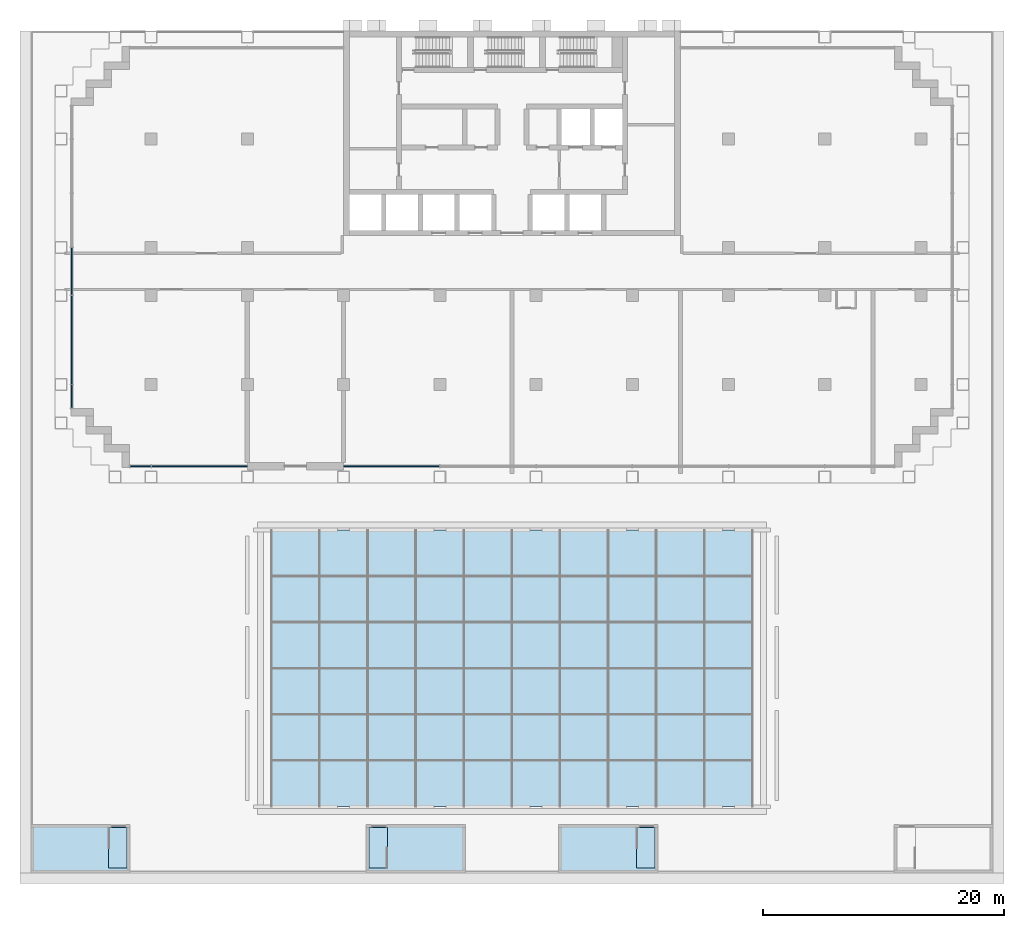
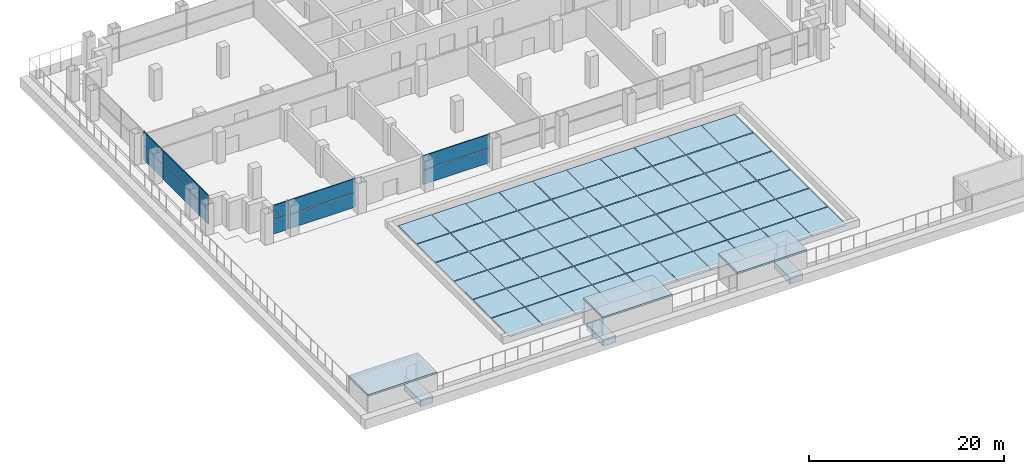
# One storey, part 8 of 16: 72 plates, 6 slabs, 4 elements without a shape of their own.
"""IFC4 building model written with IfcOpenShell, lengths in metres."""

from ifc_helpers import new_model, si_unit, direction, frame, origin, origin_2d, place, context, subcontext, project, spatial, polyline, rectangle, outline, extrude, material, layer, layer_set, type_object, element, aggregate, save


model = new_model("IFC4")

# Units and contexts
model_context = context("Model", 3, precision=1e-05, world=origin(), true_north=direction((0.0, 1.0)))
body_context = subcontext(model_context, "Body", "Model", "MODEL_VIEW")
ifc_project = project(units=[si_unit("LENGTHUNIT", "METRE"), si_unit("AREAUNIT", "SQUARE_METRE"), si_unit("VOLUMEUNIT", "CUBIC_METRE"), si_unit("PLANEANGLEUNIT", "RADIAN"), si_unit("MASSUNIT", "GRAM", prefix="KILO")], contexts=[model_context])

# Site, building, storey
site_placement = place(None, origin())
site = spatial("IfcSite", under=ifc_project, at=site_placement, CompositionType="ELEMENT")
building_placement = place(site_placement, origin())
building = spatial("IfcBuilding", under=site, at=building_placement, Name="Vidyagriha Tower", CompositionType="ELEMENT")
storey_placement = place(building_placement, frame((0.0, 0.0, 26.0)))
storey = spatial("IfcBuildingStorey", under=building, at=storey_placement, Name="L06", CompositionType="ELEMENT", Elevation=26.0)

# Curtain wall, plates
ifc_material_1 = material(Name="Aluminium and glass curtain wall", Category="aluminium")
curtain_wall_type_1 = type_object("IfcCurtainWallType", Name="Atrium rooflight curtain wall", PredefinedType="USERDEFINED", material=ifc_material_1)
curtain_wall_1_placement = place(storey_placement, origin())
curtain_wall_1 = element("IfcCurtainWall", 1, at=curtain_wall_1_placement, inside=storey, type_object=curtain_wall_type_1, Name="CW8 atrium rooflight", ObjectType="STICK GLAZING", PredefinedType="USERDEFINED")
ifc_material_2 = material(Name="Glass clear laminated low-iron", Category="glass")
ifc_layer_1 = layer(ifc_material_2, 0.030029296875)
ifc_layer_set_1 = layer_set([ifc_layer_1], Name="Glass clear laminated low-iron")
plate_type_1 = type_object("IfcPlateType", Name="Atrium rooflight glass panel 3900x3800", PredefinedType="CURTAIN_PANEL", material=ifc_layer_set_1)
plate_1_placement = place(storey_placement, frame((-18.0, -42.598388671875, 0.125)))
plate_1 = element("IfcPlate", 2, at=plate_1_placement, type_object=plate_type_1, Name="Rooflight panel 1.1", PredefinedType="CURTAIN_PANEL", context=body_context, shape_type="SweptSolid", body=[
    extrude(rectangle(XDim=3.93994140625, YDim=3.80322265625, at=origin_2d()), origin(), (0.0, 0.0, 1.0), 0.030029296875),
])
plate_2_placement = place(storey_placement, frame((-18.0, -38.75, 0.125)))
plate_2 = element("IfcPlate", 3, at=plate_2_placement, type_object=plate_type_1, Name="Rooflight panel 1.2", PredefinedType="CURTAIN_PANEL", context=body_context, shape_type="SweptSolid", body=[
    extrude(rectangle(XDim=3.93994140625, YDim=3.743408203125, at=origin_2d()), origin(), (0.0, 0.0, 1.0), 0.030029296875),
])
plate_3_placement = place(storey_placement, frame((-18.0, -34.916748046875, 0.125)))
plate_3 = element("IfcPlate", 4, at=plate_3_placement, type_object=plate_type_1, Name="Rooflight panel 1.3", PredefinedType="CURTAIN_PANEL", context=body_context, shape_type="SweptSolid", body=[
    extrude(rectangle(XDim=3.93994140625, YDim=3.743408203125, at=origin_2d()), origin(), (0.0, 0.0, 1.0), 0.030029296875),
])
plate_4_placement = place(storey_placement, frame((-18.0, -31.083251953125, 0.125)))
plate_4 = element("IfcPlate", 5, at=plate_4_placement, type_object=plate_type_1, Name="Rooflight panel 1.4", PredefinedType="CURTAIN_PANEL", context=body_context, shape_type="SweptSolid", body=[
    extrude(rectangle(XDim=3.93994140625, YDim=3.743408203125, at=origin_2d()), origin(), (0.0, 0.0, 1.0), 0.030029296875),
])
plate_5_placement = place(storey_placement, frame((-18.0, -27.25, 0.125)))
plate_5 = element("IfcPlate", 6, at=plate_5_placement, type_object=plate_type_1, Name="Rooflight panel 1.5", PredefinedType="CURTAIN_PANEL", context=body_context, shape_type="SweptSolid", body=[
    extrude(rectangle(XDim=3.93994140625, YDim=3.743408203125, at=origin_2d()), origin(), (0.0, 0.0, 1.0), 0.030029296875),
])
plate_6_placement = place(storey_placement, frame((-18.0, -23.401611328125, 0.125)))
plate_6 = element("IfcPlate", 7, at=plate_6_placement, type_object=plate_type_1, Name="Rooflight panel 1.6", PredefinedType="CURTAIN_PANEL", context=body_context, shape_type="SweptSolid", body=[
    extrude(rectangle(XDim=3.93994140625, YDim=3.7734375, at=origin_2d()), origin(), (0.0, 0.0, 1.0), 0.030029296875),
])
plate_7_placement = place(storey_placement, frame((-14.0, -42.598388671875, 0.125)))
plate_7 = element("IfcPlate", 8, at=plate_7_placement, type_object=plate_type_1, Name="Rooflight panel 2.1", PredefinedType="CURTAIN_PANEL", context=body_context, shape_type="SweptSolid", body=[
    extrude(rectangle(XDim=3.93994140625, YDim=3.80322265625, at=origin_2d()), origin(), (0.0, 0.0, 1.0), 0.030029296875),
])
plate_8_placement = place(storey_placement, frame((-14.0, -38.75, 0.125)))
plate_8 = element("IfcPlate", 9, at=plate_8_placement, type_object=plate_type_1, Name="Rooflight panel 2.2", PredefinedType="CURTAIN_PANEL", context=body_context, shape_type="SweptSolid", body=[
    extrude(rectangle(XDim=3.93994140625, YDim=3.743408203125, at=origin_2d()), origin(), (0.0, 0.0, 1.0), 0.030029296875),
])
plate_9_placement = place(storey_placement, frame((-14.0, -34.916748046875, 0.125)))
plate_9 = element("IfcPlate", 10, at=plate_9_placement, type_object=plate_type_1, Name="Rooflight panel 2.3", PredefinedType="CURTAIN_PANEL", context=body_context, shape_type="SweptSolid", body=[
    extrude(rectangle(XDim=3.93994140625, YDim=3.743408203125, at=origin_2d()), origin(), (0.0, 0.0, 1.0), 0.030029296875),
])
plate_10_placement = place(storey_placement, frame((-14.0, -31.083251953125, 0.125)))
plate_10 = element("IfcPlate", 11, at=plate_10_placement, type_object=plate_type_1, Name="Rooflight panel 2.4", PredefinedType="CURTAIN_PANEL", context=body_context, shape_type="SweptSolid", body=[
    extrude(rectangle(XDim=3.93994140625, YDim=3.743408203125, at=origin_2d()), origin(), (0.0, 0.0, 1.0), 0.030029296875),
])
plate_11_placement = place(storey_placement, frame((-14.0, -27.25, 0.125)))
plate_11 = element("IfcPlate", 12, at=plate_11_placement, type_object=plate_type_1, Name="Rooflight panel 2.5", PredefinedType="CURTAIN_PANEL", context=body_context, shape_type="SweptSolid", body=[
    extrude(rectangle(XDim=3.93994140625, YDim=3.743408203125, at=origin_2d()), origin(), (0.0, 0.0, 1.0), 0.030029296875),
])
plate_12_placement = place(storey_placement, frame((-14.0, -23.401611328125, 0.125)))
plate_12 = element("IfcPlate", 13, at=plate_12_placement, type_object=plate_type_1, Name="Rooflight panel 2.6", PredefinedType="CURTAIN_PANEL", context=body_context, shape_type="SweptSolid", body=[
    extrude(rectangle(XDim=3.93994140625, YDim=3.7734375, at=origin_2d()), origin(), (0.0, 0.0, 1.0), 0.030029296875),
])
plate_13_placement = place(storey_placement, frame((-10.0, -42.598388671875, 0.125)))
plate_13 = element("IfcPlate", 14, at=plate_13_placement, type_object=plate_type_1, Name="Rooflight panel 3.1", PredefinedType="CURTAIN_PANEL", context=body_context, shape_type="SweptSolid", body=[
    extrude(rectangle(XDim=3.93994140625, YDim=3.80322265625, at=origin_2d()), origin(), (0.0, 0.0, 1.0), 0.030029296875),
])
plate_14_placement = place(storey_placement, frame((-10.0, -38.75, 0.125)))
plate_14 = element("IfcPlate", 15, at=plate_14_placement, type_object=plate_type_1, Name="Rooflight panel 3.2", PredefinedType="CURTAIN_PANEL", context=body_context, shape_type="SweptSolid", body=[
    extrude(rectangle(XDim=3.93994140625, YDim=3.743408203125, at=origin_2d()), origin(), (0.0, 0.0, 1.0), 0.030029296875),
])
plate_15_placement = place(storey_placement, frame((-10.0, -34.916748046875, 0.125)))
plate_15 = element("IfcPlate", 16, at=plate_15_placement, type_object=plate_type_1, Name="Rooflight panel 3.3", PredefinedType="CURTAIN_PANEL", context=body_context, shape_type="SweptSolid", body=[
    extrude(rectangle(XDim=3.93994140625, YDim=3.743408203125, at=origin_2d()), origin(), (0.0, 0.0, 1.0), 0.030029296875),
])
plate_16_placement = place(storey_placement, frame((-10.0, -31.083251953125, 0.125)))
plate_16 = element("IfcPlate", 17, at=plate_16_placement, type_object=plate_type_1, Name="Rooflight panel 3.4", PredefinedType="CURTAIN_PANEL", context=body_context, shape_type="SweptSolid", body=[
    extrude(rectangle(XDim=3.93994140625, YDim=3.743408203125, at=origin_2d()), origin(), (0.0, 0.0, 1.0), 0.030029296875),
])
plate_17_placement = place(storey_placement, frame((-10.0, -27.25, 0.125)))
plate_17 = element("IfcPlate", 18, at=plate_17_placement, type_object=plate_type_1, Name="Rooflight panel 3.5", PredefinedType="CURTAIN_PANEL", context=body_context, shape_type="SweptSolid", body=[
    extrude(rectangle(XDim=3.93994140625, YDim=3.743408203125, at=origin_2d()), origin(), (0.0, 0.0, 1.0), 0.030029296875),
])
plate_18_placement = place(storey_placement, frame((-10.0, -23.401611328125, 0.125)))
plate_18 = element("IfcPlate", 19, at=plate_18_placement, type_object=plate_type_1, Name="Rooflight panel 3.6", PredefinedType="CURTAIN_PANEL", context=body_context, shape_type="SweptSolid", body=[
    extrude(rectangle(XDim=3.93994140625, YDim=3.7734375, at=origin_2d()), origin(), (0.0, 0.0, 1.0), 0.030029296875),
])
plate_19_placement = place(storey_placement, frame((-6.0, -42.598388671875, 0.125)))
plate_19 = element("IfcPlate", 20, at=plate_19_placement, type_object=plate_type_1, Name="Rooflight panel 4.1", PredefinedType="CURTAIN_PANEL", context=body_context, shape_type="SweptSolid", body=[
    extrude(rectangle(XDim=3.93994140625, YDim=3.80322265625, at=origin_2d()), origin(), (0.0, 0.0, 1.0), 0.030029296875),
])
plate_20_placement = place(storey_placement, frame((-6.0, -38.75, 0.125)))
plate_20 = element("IfcPlate", 21, at=plate_20_placement, type_object=plate_type_1, Name="Rooflight panel 4.2", PredefinedType="CURTAIN_PANEL", context=body_context, shape_type="SweptSolid", body=[
    extrude(rectangle(XDim=3.93994140625, YDim=3.743408203125, at=origin_2d()), origin(), (0.0, 0.0, 1.0), 0.030029296875),
])
plate_21_placement = place(storey_placement, frame((-6.0, -34.916748046875, 0.125)))
plate_21 = element("IfcPlate", 22, at=plate_21_placement, type_object=plate_type_1, Name="Rooflight panel 4.3", PredefinedType="CURTAIN_PANEL", context=body_context, shape_type="SweptSolid", body=[
    extrude(rectangle(XDim=3.93994140625, YDim=3.743408203125, at=origin_2d()), origin(), (0.0, 0.0, 1.0), 0.030029296875),
])
plate_22_placement = place(storey_placement, frame((-6.0, -31.083251953125, 0.125)))
plate_22 = element("IfcPlate", 23, at=plate_22_placement, type_object=plate_type_1, Name="Rooflight panel 4.4", PredefinedType="CURTAIN_PANEL", context=body_context, shape_type="SweptSolid", body=[
    extrude(rectangle(XDim=3.93994140625, YDim=3.743408203125, at=origin_2d()), origin(), (0.0, 0.0, 1.0), 0.030029296875),
])
plate_23_placement = place(storey_placement, frame((-6.0, -27.25, 0.125)))
plate_23 = element("IfcPlate", 24, at=plate_23_placement, type_object=plate_type_1, Name="Rooflight panel 4.5", PredefinedType="CURTAIN_PANEL", context=body_context, shape_type="SweptSolid", body=[
    extrude(rectangle(XDim=3.93994140625, YDim=3.743408203125, at=origin_2d()), origin(), (0.0, 0.0, 1.0), 0.030029296875),
])
plate_24_placement = place(storey_placement, frame((-6.0, -23.401611328125, 0.125)))
plate_24 = element("IfcPlate", 25, at=plate_24_placement, type_object=plate_type_1, Name="Rooflight panel 4.6", PredefinedType="CURTAIN_PANEL", context=body_context, shape_type="SweptSolid", body=[
    extrude(rectangle(XDim=3.93994140625, YDim=3.7734375, at=origin_2d()), origin(), (0.0, 0.0, 1.0), 0.030029296875),
])
plate_25_placement = place(storey_placement, frame((-2.0, -42.598388671875, 0.125)))
plate_25 = element("IfcPlate", 26, at=plate_25_placement, type_object=plate_type_1, Name="Rooflight panel 5.1", PredefinedType="CURTAIN_PANEL", context=body_context, shape_type="SweptSolid", body=[
    extrude(rectangle(XDim=3.93994140625, YDim=3.80322265625, at=origin_2d()), origin(), (0.0, 0.0, 1.0), 0.030029296875),
])
plate_26_placement = place(storey_placement, frame((-2.0, -38.75, 0.125)))
plate_26 = element("IfcPlate", 27, at=plate_26_placement, type_object=plate_type_1, Name="Rooflight panel 5.2", PredefinedType="CURTAIN_PANEL", context=body_context, shape_type="SweptSolid", body=[
    extrude(rectangle(XDim=3.93994140625, YDim=3.743408203125, at=origin_2d()), origin(), (0.0, 0.0, 1.0), 0.030029296875),
])
plate_27_placement = place(storey_placement, frame((-2.0, -34.916748046875, 0.125)))
plate_27 = element("IfcPlate", 28, at=plate_27_placement, type_object=plate_type_1, Name="Rooflight panel 5.3", PredefinedType="CURTAIN_PANEL", context=body_context, shape_type="SweptSolid", body=[
    extrude(rectangle(XDim=3.93994140625, YDim=3.743408203125, at=origin_2d()), origin(), (0.0, 0.0, 1.0), 0.030029296875),
])
plate_28_placement = place(storey_placement, frame((-2.0, -31.083251953125, 0.125)))
plate_28 = element("IfcPlate", 29, at=plate_28_placement, type_object=plate_type_1, Name="Rooflight panel 5.4", PredefinedType="CURTAIN_PANEL", context=body_context, shape_type="SweptSolid", body=[
    extrude(rectangle(XDim=3.93994140625, YDim=3.743408203125, at=origin_2d()), origin(), (0.0, 0.0, 1.0), 0.030029296875),
])
plate_29_placement = place(storey_placement, frame((-2.0, -27.25, 0.125)))
plate_29 = element("IfcPlate", 30, at=plate_29_placement, type_object=plate_type_1, Name="Rooflight panel 5.5", PredefinedType="CURTAIN_PANEL", context=body_context, shape_type="SweptSolid", body=[
    extrude(rectangle(XDim=3.93994140625, YDim=3.743408203125, at=origin_2d()), origin(), (0.0, 0.0, 1.0), 0.030029296875),
])
plate_30_placement = place(storey_placement, frame((-2.0, -23.401611328125, 0.125)))
plate_30 = element("IfcPlate", 31, at=plate_30_placement, type_object=plate_type_1, Name="Rooflight panel 5.6", PredefinedType="CURTAIN_PANEL", context=body_context, shape_type="SweptSolid", body=[
    extrude(rectangle(XDim=3.93994140625, YDim=3.7734375, at=origin_2d()), origin(), (0.0, 0.0, 1.0), 0.030029296875),
])
plate_31_placement = place(storey_placement, frame((2.0, -42.598388671875, 0.125)))
plate_31 = element("IfcPlate", 32, at=plate_31_placement, type_object=plate_type_1, Name="Rooflight panel 6.1", PredefinedType="CURTAIN_PANEL", context=body_context, shape_type="SweptSolid", body=[
    extrude(rectangle(XDim=3.93994140625, YDim=3.80322265625, at=origin_2d()), origin(), (0.0, 0.0, 1.0), 0.030029296875),
])
plate_32_placement = place(storey_placement, frame((2.0, -38.75, 0.125)))
plate_32 = element("IfcPlate", 33, at=plate_32_placement, type_object=plate_type_1, Name="Rooflight panel 6.2", PredefinedType="CURTAIN_PANEL", context=body_context, shape_type="SweptSolid", body=[
    extrude(rectangle(XDim=3.93994140625, YDim=3.743408203125, at=origin_2d()), origin(), (0.0, 0.0, 1.0), 0.030029296875),
])
plate_33_placement = place(storey_placement, frame((2.0, -34.916748046875, 0.125)))
plate_33 = element("IfcPlate", 34, at=plate_33_placement, type_object=plate_type_1, Name="Rooflight panel 6.3", PredefinedType="CURTAIN_PANEL", context=body_context, shape_type="SweptSolid", body=[
    extrude(rectangle(XDim=3.93994140625, YDim=3.743408203125, at=origin_2d()), origin(), (0.0, 0.0, 1.0), 0.030029296875),
])
plate_34_placement = place(storey_placement, frame((2.0, -31.083251953125, 0.125)))
plate_34 = element("IfcPlate", 35, at=plate_34_placement, type_object=plate_type_1, Name="Rooflight panel 6.4", PredefinedType="CURTAIN_PANEL", context=body_context, shape_type="SweptSolid", body=[
    extrude(rectangle(XDim=3.93994140625, YDim=3.743408203125, at=origin_2d()), origin(), (0.0, 0.0, 1.0), 0.030029296875),
])
plate_35_placement = place(storey_placement, frame((2.0, -27.25, 0.125)))
plate_35 = element("IfcPlate", 36, at=plate_35_placement, type_object=plate_type_1, Name="Rooflight panel 6.5", PredefinedType="CURTAIN_PANEL", context=body_context, shape_type="SweptSolid", body=[
    extrude(rectangle(XDim=3.93994140625, YDim=3.743408203125, at=origin_2d()), origin(), (0.0, 0.0, 1.0), 0.030029296875),
])
plate_36_placement = place(storey_placement, frame((2.0, -23.401611328125, 0.125)))
plate_36 = element("IfcPlate", 37, at=plate_36_placement, type_object=plate_type_1, Name="Rooflight panel 6.6", PredefinedType="CURTAIN_PANEL", context=body_context, shape_type="SweptSolid", body=[
    extrude(rectangle(XDim=3.93994140625, YDim=3.7734375, at=origin_2d()), origin(), (0.0, 0.0, 1.0), 0.030029296875),
])
plate_37_placement = place(storey_placement, frame((6.0, -42.598388671875, 0.125)))
plate_37 = element("IfcPlate", 38, at=plate_37_placement, type_object=plate_type_1, Name="Rooflight panel 7.1", PredefinedType="CURTAIN_PANEL", context=body_context, shape_type="SweptSolid", body=[
    extrude(rectangle(XDim=3.93994140625, YDim=3.80322265625, at=origin_2d()), origin(), (0.0, 0.0, 1.0), 0.030029296875),
])
plate_38_placement = place(storey_placement, frame((6.0, -38.75, 0.125)))
plate_38 = element("IfcPlate", 39, at=plate_38_placement, type_object=plate_type_1, Name="Rooflight panel 7.2", PredefinedType="CURTAIN_PANEL", context=body_context, shape_type="SweptSolid", body=[
    extrude(rectangle(XDim=3.93994140625, YDim=3.743408203125, at=origin_2d()), origin(), (0.0, 0.0, 1.0), 0.030029296875),
])
plate_39_placement = place(storey_placement, frame((6.0, -34.916748046875, 0.125)))
plate_39 = element("IfcPlate", 40, at=plate_39_placement, type_object=plate_type_1, Name="Rooflight panel 7.3", PredefinedType="CURTAIN_PANEL", context=body_context, shape_type="SweptSolid", body=[
    extrude(rectangle(XDim=3.93994140625, YDim=3.743408203125, at=origin_2d()), origin(), (0.0, 0.0, 1.0), 0.030029296875),
])
plate_40_placement = place(storey_placement, frame((6.0, -31.083251953125, 0.125)))
plate_40 = element("IfcPlate", 41, at=plate_40_placement, type_object=plate_type_1, Name="Rooflight panel 7.4", PredefinedType="CURTAIN_PANEL", context=body_context, shape_type="SweptSolid", body=[
    extrude(rectangle(XDim=3.93994140625, YDim=3.743408203125, at=origin_2d()), origin(), (0.0, 0.0, 1.0), 0.030029296875),
])
plate_41_placement = place(storey_placement, frame((6.0, -27.25, 0.125)))
plate_41 = element("IfcPlate", 42, at=plate_41_placement, type_object=plate_type_1, Name="Rooflight panel 7.5", PredefinedType="CURTAIN_PANEL", context=body_context, shape_type="SweptSolid", body=[
    extrude(rectangle(XDim=3.93994140625, YDim=3.743408203125, at=origin_2d()), origin(), (0.0, 0.0, 1.0), 0.030029296875),
])
plate_42_placement = place(storey_placement, frame((6.0, -23.401611328125, 0.125)))
plate_42 = element("IfcPlate", 43, at=plate_42_placement, type_object=plate_type_1, Name="Rooflight panel 7.6", PredefinedType="CURTAIN_PANEL", context=body_context, shape_type="SweptSolid", body=[
    extrude(rectangle(XDim=3.93994140625, YDim=3.7734375, at=origin_2d()), origin(), (0.0, 0.0, 1.0), 0.030029296875),
])
plate_43_placement = place(storey_placement, frame((10.0, -42.598388671875, 0.125)))
plate_43 = element("IfcPlate", 44, at=plate_43_placement, type_object=plate_type_1, Name="Rooflight panel 8.1", PredefinedType="CURTAIN_PANEL", context=body_context, shape_type="SweptSolid", body=[
    extrude(rectangle(XDim=3.93994140625, YDim=3.80322265625, at=origin_2d()), origin(), (0.0, 0.0, 1.0), 0.030029296875),
])
plate_44_placement = place(storey_placement, frame((10.0, -38.75, 0.125)))
plate_44 = element("IfcPlate", 45, at=plate_44_placement, type_object=plate_type_1, Name="Rooflight panel 8.2", PredefinedType="CURTAIN_PANEL", context=body_context, shape_type="SweptSolid", body=[
    extrude(rectangle(XDim=3.93994140625, YDim=3.743408203125, at=origin_2d()), origin(), (0.0, 0.0, 1.0), 0.030029296875),
])
plate_45_placement = place(storey_placement, frame((10.0, -34.916748046875, 0.125)))
plate_45 = element("IfcPlate", 46, at=plate_45_placement, type_object=plate_type_1, Name="Rooflight panel 8.3", PredefinedType="CURTAIN_PANEL", context=body_context, shape_type="SweptSolid", body=[
    extrude(rectangle(XDim=3.93994140625, YDim=3.743408203125, at=origin_2d()), origin(), (0.0, 0.0, 1.0), 0.030029296875),
])
plate_46_placement = place(storey_placement, frame((10.0, -31.083251953125, 0.125)))
plate_46 = element("IfcPlate", 47, at=plate_46_placement, type_object=plate_type_1, Name="Rooflight panel 8.4", PredefinedType="CURTAIN_PANEL", context=body_context, shape_type="SweptSolid", body=[
    extrude(rectangle(XDim=3.93994140625, YDim=3.743408203125, at=origin_2d()), origin(), (0.0, 0.0, 1.0), 0.030029296875),
])
plate_47_placement = place(storey_placement, frame((10.0, -27.25, 0.125)))
plate_47 = element("IfcPlate", 48, at=plate_47_placement, type_object=plate_type_1, Name="Rooflight panel 8.5", PredefinedType="CURTAIN_PANEL", context=body_context, shape_type="SweptSolid", body=[
    extrude(rectangle(XDim=3.93994140625, YDim=3.743408203125, at=origin_2d()), origin(), (0.0, 0.0, 1.0), 0.030029296875),
])
plate_48_placement = place(storey_placement, frame((10.0, -23.401611328125, 0.125)))
plate_48 = element("IfcPlate", 49, at=plate_48_placement, type_object=plate_type_1, Name="Rooflight panel 8.6", PredefinedType="CURTAIN_PANEL", context=body_context, shape_type="SweptSolid", body=[
    extrude(rectangle(XDim=3.93994140625, YDim=3.7734375, at=origin_2d()), origin(), (0.0, 0.0, 1.0), 0.030029296875),
])
plate_49_placement = place(storey_placement, frame((14.0, -42.598388671875, 0.125)))
plate_49 = element("IfcPlate", 50, at=plate_49_placement, type_object=plate_type_1, Name="Rooflight panel 9.1", PredefinedType="CURTAIN_PANEL", context=body_context, shape_type="SweptSolid", body=[
    extrude(rectangle(XDim=3.93994140625, YDim=3.80322265625, at=origin_2d()), origin(), (0.0, 0.0, 1.0), 0.030029296875),
])
plate_50_placement = place(storey_placement, frame((14.0, -38.75, 0.125)))
plate_50 = element("IfcPlate", 51, at=plate_50_placement, type_object=plate_type_1, Name="Rooflight panel 9.2", PredefinedType="CURTAIN_PANEL", context=body_context, shape_type="SweptSolid", body=[
    extrude(rectangle(XDim=3.93994140625, YDim=3.743408203125, at=origin_2d()), origin(), (0.0, 0.0, 1.0), 0.030029296875),
])
plate_51_placement = place(storey_placement, frame((14.0, -34.916748046875, 0.125)))
plate_51 = element("IfcPlate", 52, at=plate_51_placement, type_object=plate_type_1, Name="Rooflight panel 9.3", PredefinedType="CURTAIN_PANEL", context=body_context, shape_type="SweptSolid", body=[
    extrude(rectangle(XDim=3.93994140625, YDim=3.743408203125, at=origin_2d()), origin(), (0.0, 0.0, 1.0), 0.030029296875),
])
plate_52_placement = place(storey_placement, frame((14.0, -31.083251953125, 0.125)))
plate_52 = element("IfcPlate", 53, at=plate_52_placement, type_object=plate_type_1, Name="Rooflight panel 9.4", PredefinedType="CURTAIN_PANEL", context=body_context, shape_type="SweptSolid", body=[
    extrude(rectangle(XDim=3.93994140625, YDim=3.743408203125, at=origin_2d()), origin(), (0.0, 0.0, 1.0), 0.030029296875),
])
plate_53_placement = place(storey_placement, frame((14.0, -27.25, 0.125)))
plate_53 = element("IfcPlate", 54, at=plate_53_placement, type_object=plate_type_1, Name="Rooflight panel 9.5", PredefinedType="CURTAIN_PANEL", context=body_context, shape_type="SweptSolid", body=[
    extrude(rectangle(XDim=3.93994140625, YDim=3.743408203125, at=origin_2d()), origin(), (0.0, 0.0, 1.0), 0.030029296875),
])
plate_54_placement = place(storey_placement, frame((14.0, -23.401611328125, 0.125)))
plate_54 = element("IfcPlate", 55, at=plate_54_placement, type_object=plate_type_1, Name="Rooflight panel 9.6", PredefinedType="CURTAIN_PANEL", context=body_context, shape_type="SweptSolid", body=[
    extrude(rectangle(XDim=3.93994140625, YDim=3.7734375, at=origin_2d()), origin(), (0.0, 0.0, 1.0), 0.030029296875),
])
plate_55_placement = place(storey_placement, frame((18.0, -42.598388671875, 0.125)))
plate_55 = element("IfcPlate", 56, at=plate_55_placement, type_object=plate_type_1, Name="Rooflight panel 10.1", PredefinedType="CURTAIN_PANEL", context=body_context, shape_type="SweptSolid", body=[
    extrude(rectangle(XDim=3.93994140625, YDim=3.80322265625, at=origin_2d()), origin(), (0.0, 0.0, 1.0), 0.030029296875),
])
plate_56_placement = place(storey_placement, frame((18.0, -38.75, 0.125)))
plate_56 = element("IfcPlate", 57, at=plate_56_placement, type_object=plate_type_1, Name="Rooflight panel 10.2", PredefinedType="CURTAIN_PANEL", context=body_context, shape_type="SweptSolid", body=[
    extrude(rectangle(XDim=3.93994140625, YDim=3.743408203125, at=origin_2d()), origin(), (0.0, 0.0, 1.0), 0.030029296875),
])
plate_57_placement = place(storey_placement, frame((18.0, -34.916748046875, 0.125)))
plate_57 = element("IfcPlate", 58, at=plate_57_placement, type_object=plate_type_1, Name="Rooflight panel 10.3", PredefinedType="CURTAIN_PANEL", context=body_context, shape_type="SweptSolid", body=[
    extrude(rectangle(XDim=3.93994140625, YDim=3.743408203125, at=origin_2d()), origin(), (0.0, 0.0, 1.0), 0.030029296875),
])
plate_58_placement = place(storey_placement, frame((18.0, -31.083251953125, 0.125)))
plate_58 = element("IfcPlate", 59, at=plate_58_placement, type_object=plate_type_1, Name="Rooflight panel 10.4", PredefinedType="CURTAIN_PANEL", context=body_context, shape_type="SweptSolid", body=[
    extrude(rectangle(XDim=3.93994140625, YDim=3.743408203125, at=origin_2d()), origin(), (0.0, 0.0, 1.0), 0.030029296875),
])
plate_59_placement = place(storey_placement, frame((18.0, -27.25, 0.125)))
plate_59 = element("IfcPlate", 60, at=plate_59_placement, type_object=plate_type_1, Name="Rooflight panel 10.5", PredefinedType="CURTAIN_PANEL", context=body_context, shape_type="SweptSolid", body=[
    extrude(rectangle(XDim=3.93994140625, YDim=3.743408203125, at=origin_2d()), origin(), (0.0, 0.0, 1.0), 0.030029296875),
])
plate_60_placement = place(storey_placement, frame((18.0, -23.401611328125, 0.125)))
plate_60 = element("IfcPlate", 61, at=plate_60_placement, type_object=plate_type_1, Name="Rooflight panel 10.6", PredefinedType="CURTAIN_PANEL", context=body_context, shape_type="SweptSolid", body=[
    extrude(rectangle(XDim=3.93994140625, YDim=3.7734375, at=origin_2d()), origin(), (0.0, 0.0, 1.0), 0.030029296875),
])
aggregate(curtain_wall_1, [plate_1, plate_2, plate_3, plate_4, plate_5, plate_6, plate_7, plate_8, plate_9, plate_10, plate_11, plate_12, plate_13, plate_14, plate_15, plate_16, plate_17, plate_18, plate_19, plate_20, plate_21, plate_22, plate_23, plate_24, plate_25, plate_26, plate_27, plate_28, plate_29, plate_30, plate_31, plate_32, plate_33, plate_34, plate_35, plate_36, plate_37, plate_38, plate_39, plate_40, plate_41, plate_42, plate_43, plate_44, plate_45, plate_46, plate_47, plate_48, plate_49, plate_50, plate_51, plate_52, plate_53, plate_54, plate_55, plate_56, plate_57, plate_58, plate_59, plate_60])

ifc_material_3 = material(Name="Aluminium and glass curtain wall", Category="aluminium")
curtain_wall_type_2 = type_object("IfcCurtainWallType", Name="Plant louvre wall", PredefinedType="USERDEFINED", material=ifc_material_3)
curtain_wall_2_placement = place(storey_placement, origin())
curtain_wall_2 = element("IfcCurtainWall", 62, at=curtain_wall_2_placement, inside=storey, type_object=curtain_wall_type_2, Name="CW7 plant louvre wall", ObjectType="STICK GLAZING", PredefinedType="USERDEFINED")
ifc_material_4 = material(Name="Perforated fired clay brick jaali screen", Category="masonry")
ifc_layer_2 = layer(ifc_material_4, 0.10009765625)
ifc_layer_set_2 = layer_set([ifc_layer_2], Name="Perforated fired clay brick jaali screen")
plate_type_2 = type_object("IfcPlateType", Name="Perforated brick jaali screen panel", PredefinedType="CURTAIN_PANEL", material=ifc_layer_set_2)
plate_61_placement = place(storey_placement, frame((-36.60009765625, 0.0, 0.0), z_axis=(0.0, 0.0, 1.0), x_axis=(0.0, -1.0, 0.0)))
plate_61 = element("IfcPlate", 63, at=plate_61_placement, type_object=plate_type_2, Name="CW7 panel 4.1", PredefinedType="CURTAIN_PANEL", context=body_context, shape_type="SweptSolid", body=[
    extrude(rectangle(XDim=3.919921875, YDim=0.10009765625, at=origin_2d()), origin(), (0.0, 0.0, 1.0), 1.75),
])
plate_62_placement = place(storey_placement, frame((-36.60009765625, 0.0, 1.85009765625), z_axis=(0.0, 0.0, 1.0), x_axis=(0.0, -1.0, 0.0)))
plate_62 = element("IfcPlate", 64, at=plate_62_placement, type_object=plate_type_2, Name="CW7 panel 4.2", PredefinedType="CURTAIN_PANEL", context=body_context, shape_type="SweptSolid", body=[
    extrude(rectangle(XDim=3.919921875, YDim=0.10009765625, at=origin_2d()), origin(), (0.0, 0.0, 1.0), 1.75),
])
plate_63_placement = place(storey_placement, frame((-36.60009765625, -5.699951171875, 0.0), z_axis=(0.0, 0.0, 1.0), x_axis=(0.0, -1.0, 0.0)))
plate_63 = element("IfcPlate", 65, at=plate_63_placement, type_object=plate_type_2, Name="CW7 panel 5.1", PredefinedType="CURTAIN_PANEL", context=body_context, shape_type="SweptSolid", body=[
    extrude(rectangle(XDim=7.320068359375, YDim=0.10009765625, at=origin_2d()), origin(), (0.0, 0.0, 1.0), 1.75),
])
plate_64_placement = place(storey_placement, frame((-36.60009765625, -5.699951171875, 1.85009765625), z_axis=(0.0, 0.0, 1.0), x_axis=(0.0, -1.0, 0.0)))
plate_64 = element("IfcPlate", 66, at=plate_64_placement, type_object=plate_type_2, Name="CW7 panel 5.2", PredefinedType="CURTAIN_PANEL", context=body_context, shape_type="SweptSolid", body=[
    extrude(rectangle(XDim=7.320068359375, YDim=0.10009765625, at=origin_2d()), origin(), (0.0, 0.0, 1.0), 1.75),
])
plate_65_placement = place(storey_placement, frame((-36.60009765625, -10.3798828125, 0.0), z_axis=(0.0, 0.0, 1.0), x_axis=(0.0, -1.0, 0.0)))
plate_65 = element("IfcPlate", 67, at=plate_65_placement, type_object=plate_type_2, Name="CW7 panel 6.1", PredefinedType="CURTAIN_PANEL", context=body_context, shape_type="SweptSolid", body=[
    extrude(rectangle(XDim=1.8798828125, YDim=0.10009765625, at=origin_2d()), origin(), (0.0, 0.0, 1.0), 1.75),
])
plate_66_placement = place(storey_placement, frame((-36.60009765625, -10.3798828125, 1.85009765625), z_axis=(0.0, 0.0, 1.0), x_axis=(0.0, -1.0, 0.0)))
plate_66 = element("IfcPlate", 68, at=plate_66_placement, type_object=plate_type_2, Name="CW7 panel 6.2", PredefinedType="CURTAIN_PANEL", context=body_context, shape_type="SweptSolid", body=[
    extrude(rectangle(XDim=1.8798828125, YDim=0.10009765625, at=origin_2d()), origin(), (0.0, 0.0, 1.0), 1.75),
])
aggregate(curtain_wall_2, [plate_61, plate_62, plate_63, plate_64, plate_65, plate_66])

curtain_wall_3_placement = place(storey_placement, origin())
curtain_wall_3 = element("IfcCurtainWall", 69, at=curtain_wall_3_placement, inside=storey, type_object=curtain_wall_type_2, Name="CW7 plant louvre wall", ObjectType="STICK GLAZING", PredefinedType="USERDEFINED")
plate_67_placement = place(storey_placement, frame((-30.8798828125, -16.199951171875, 0.0)))
plate_67 = element("IfcPlate", 70, at=plate_67_placement, type_object=plate_type_2, Name="CW7 panel 1.1", PredefinedType="CURTAIN_PANEL", context=body_context, shape_type="SweptSolid", body=[
    extrude(rectangle(XDim=1.679931640625, YDim=0.10009765625, at=origin_2d()), origin(), (0.0, 0.0, 1.0), 1.75),
])
plate_68_placement = place(storey_placement, frame((-30.8798828125, -16.199951171875, 1.85009765625)))
plate_68 = element("IfcPlate", 71, at=plate_68_placement, type_object=plate_type_2, Name="CW7 panel 1.2", PredefinedType="CURTAIN_PANEL", context=body_context, shape_type="SweptSolid", body=[
    extrude(rectangle(XDim=1.679931640625, YDim=0.10009765625, at=origin_2d()), origin(), (0.0, 0.0, 1.0), 1.75),
])
plate_69_placement = place(storey_placement, frame((-25.97998046875, -16.199951171875, 0.0)))
plate_69 = element("IfcPlate", 72, at=plate_69_placement, type_object=plate_type_2, Name="CW7 panel 2.1", PredefinedType="CURTAIN_PANEL", context=body_context, shape_type="SweptSolid", body=[
    extrude(rectangle(XDim=7.9599609375, YDim=0.10009765625, at=origin_2d()), origin(), (0.0, 0.0, 1.0), 1.75),
])
plate_70_placement = place(storey_placement, frame((-25.97998046875, -16.199951171875, 1.85009765625)))
plate_70 = element("IfcPlate", 73, at=plate_70_placement, type_object=plate_type_2, Name="CW7 panel 2.2", PredefinedType="CURTAIN_PANEL", context=body_context, shape_type="SweptSolid", body=[
    extrude(rectangle(XDim=7.9599609375, YDim=0.10009765625, at=origin_2d()), origin(), (0.0, 0.0, 1.0), 1.75),
])
aggregate(curtain_wall_3, [plate_67, plate_68, plate_69, plate_70])

curtain_wall_4_placement = place(storey_placement, origin())
curtain_wall_4 = element("IfcCurtainWall", 74, at=curtain_wall_4_placement, inside=storey, type_object=curtain_wall_type_2, Name="CW7 plant louvre wall", ObjectType="STICK GLAZING", PredefinedType="USERDEFINED")
plate_71_placement = place(storey_placement, frame((-10.02001953125, -16.199951171875, 0.0)))
plate_71 = element("IfcPlate", 75, at=plate_71_placement, type_object=plate_type_2, Name="CW7 panel 1.1", PredefinedType="CURTAIN_PANEL", context=body_context, shape_type="SweptSolid", body=[
    extrude(rectangle(XDim=7.9599609375, YDim=0.10009765625, at=origin_2d()), origin(), (0.0, 0.0, 1.0), 1.75),
])
plate_72_placement = place(storey_placement, frame((-10.02001953125, -16.199951171875, 1.85009765625)))
plate_72 = element("IfcPlate", 76, at=plate_72_placement, type_object=plate_type_2, Name="CW7 panel 1.2", PredefinedType="CURTAIN_PANEL", context=body_context, shape_type="SweptSolid", body=[
    extrude(rectangle(XDim=7.9599609375, YDim=0.10009765625, at=origin_2d()), origin(), (0.0, 0.0, 1.0), 1.75),
])
aggregate(curtain_wall_4, [plate_71, plate_72])

# Slabs
ifc_material_5 = material(Name="Concrete C32/40", Category="concrete")
ifc_layer_3 = layer(ifc_material_5, 0.800048828125)
ifc_layer_set_3 = layer_set([ifc_layer_3], Name="Concrete C32/40")
slab_type_1 = type_object("IfcSlabType", Name="Podium stair floor landing 800 mm", PredefinedType="LANDING", material=ifc_layer_set_3)
slab_1_placement = place(storey_placement, frame((0.0, 0.0, -0.800048828125)))
element("IfcSlab", 77, at=slab_1_placement, inside=storey, type_object=slab_type_1, Name="PS1 floor landing L06", PredefinedType="LANDING", context=body_context, shape_type="SweptSolid", body=[
    extrude(outline(polyline([(-33.544921875, -49.60009765625), (-32.02490234375, -49.60009765625), (-32.02490234375, -46.22509765625), (-33.544921875, -46.22509765625), (-33.544921875, -49.60009765625)])), origin(), (0.0, 0.0, 1.0), 0.800048828125),
])
slab_2_placement = place(storey_placement, frame((0.0, 0.0, -0.800048828125)))
element("IfcSlab", 78, at=slab_2_placement, inside=storey, type_object=slab_type_1, Name="PS3 floor landing L06", PredefinedType="LANDING", context=body_context, shape_type="SweptSolid", body=[
    extrude(outline(polyline([(-11.875, -49.60009765625), (-10.35498046875, -49.60009765625), (-10.35498046875, -46.22509765625), (-11.875, -46.22509765625), (-11.875, -49.60009765625)])), origin(), (0.0, 0.0, 1.0), 0.800048828125),
])
slab_3_placement = place(storey_placement, frame((0.0, 0.0, -0.800048828125)))
element("IfcSlab", 79, at=slab_3_placement, inside=storey, type_object=slab_type_1, Name="PS4 floor landing L06", PredefinedType="LANDING", context=body_context, shape_type="SweptSolid", body=[
    extrude(outline(polyline([(10.35498046875, -49.60009765625), (11.875, -49.60009765625), (11.875, -46.22509765625), (10.35498046875, -46.22509765625), (10.35498046875, -49.60009765625)])), origin(), (0.0, 0.0, 1.0), 0.800048828125),
])
ifc_material_6 = material(Name="Concrete C32/40", Category="concrete")
ifc_layer_4 = layer(ifc_material_6, 0.199951171875)
ifc_layer_set_4 = layer_set([ifc_layer_4], Name="Concrete C32/40")
slab_type_2 = type_object("IfcSlabType", Name="Stair Head-house Roof Slab 200", PredefinedType="ROOF", material=ifc_layer_set_4)
slab_4_placement = place(storey_placement, frame((0.0, 0.0, 3.0)))
element("IfcSlab", 80, at=slab_4_placement, inside=storey, type_object=slab_type_2, Name="L06 stair head-house PS1 roof", PredefinedType="ROOF", context=body_context, shape_type="SweptSolid", body=[
    extrude(outline(polyline([(-40.0, -50.0), (-31.77490234375, -50.0), (-31.77490234375, -45.97509765625), (-40.0, -45.97509765625), (-40.0, -50.0)])), origin(), (0.0, 0.0, 1.0), 0.199951171875),
])
slab_5_placement = place(storey_placement, frame((0.0, 0.0, 3.0)))
element("IfcSlab", 81, at=slab_5_placement, inside=storey, type_object=slab_type_2, Name="L06 stair head-house PS3 roof", PredefinedType="ROOF", context=body_context, shape_type="SweptSolid", body=[
    extrude(outline(polyline([(-12.125, -50.0), (-3.875, -50.0), (-3.875, -45.97509765625), (-12.125, -45.97509765625), (-12.125, -50.0)])), origin(), (0.0, 0.0, 1.0), 0.199951171875),
])
slab_6_placement = place(storey_placement, frame((0.0, 0.0, 3.0)))
element("IfcSlab", 82, at=slab_6_placement, inside=storey, type_object=slab_type_2, Name="L06 stair head-house PS4 roof", PredefinedType="ROOF", context=body_context, shape_type="SweptSolid", body=[
    extrude(outline(polyline([(3.875, -50.0), (12.125, -50.0), (12.125, -45.97509765625), (3.875, -45.97509765625), (3.875, -50.0)])), origin(), (0.0, 0.0, 1.0), 0.199951171875),
])

save(model, "model.ifc")
